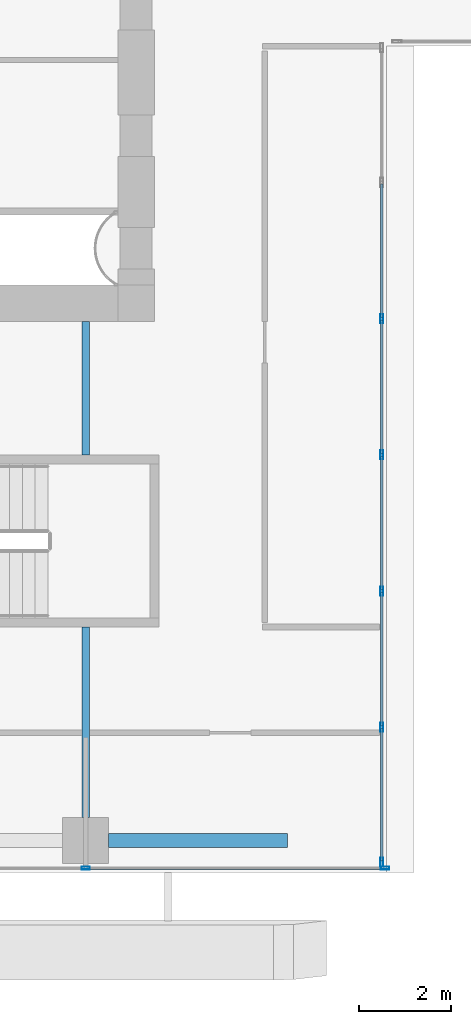
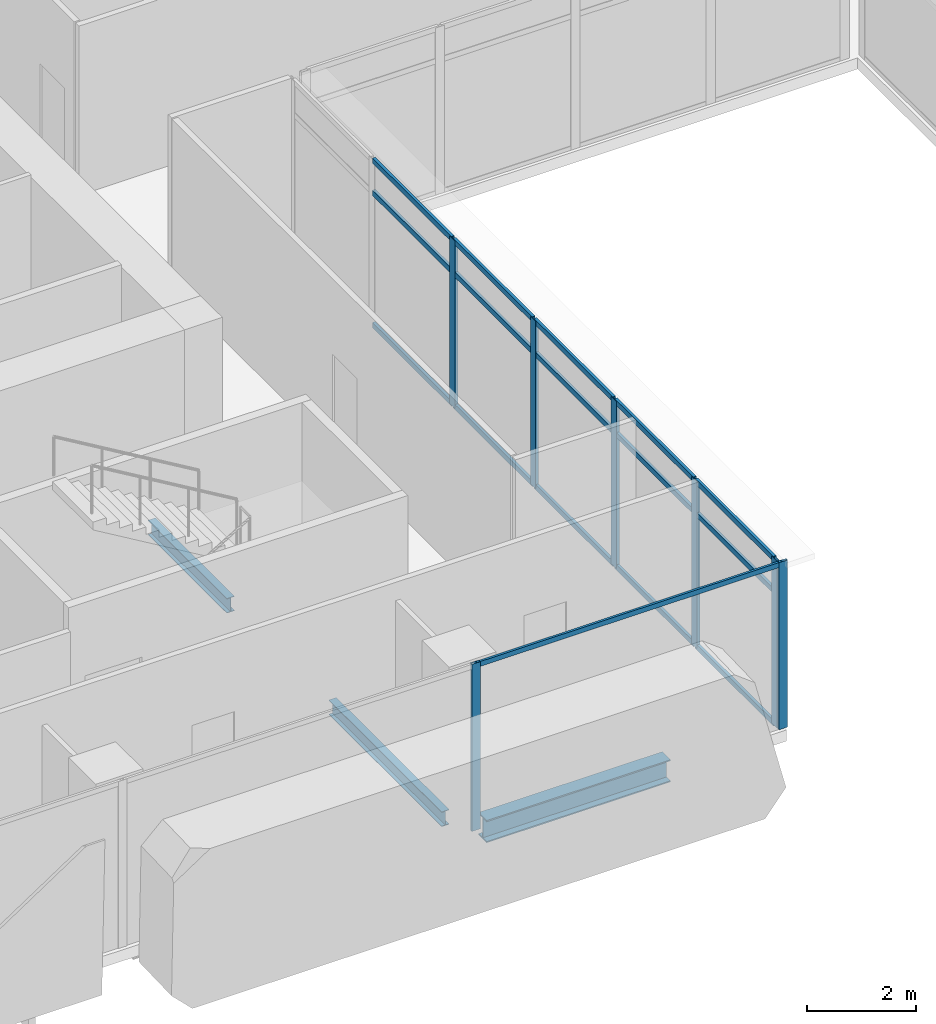
# One storey, part 5 of 37: 23 members, 3 beams, 2 elements without a shape of their own.
"""IFC4 building model written with IfcOpenShell, lengths in metres."""

from ifc_helpers import new_model, si_unit, direction, frame, origin, origin_2d, place, context, subcontext, project, spatial, hollow_rectangle, i_section, extrude, source, transform, mapped, material, material_profile, profile_set, type_object, element, aggregate, save


model = new_model("IFC4")

# Units and contexts
model_context = context("Model", 3, precision=1e-05, world=origin(), true_north=direction((0.0, 1.0)))
body_context = subcontext(model_context, "Body", "Model", "MODEL_VIEW")
ifc_project = project(units=[si_unit("LENGTHUNIT", "METRE"), si_unit("AREAUNIT", "SQUARE_METRE"), si_unit("VOLUMEUNIT", "CUBIC_METRE"), si_unit("PLANEANGLEUNIT", "RADIAN"), si_unit("MASSUNIT", "GRAM", prefix="KILO")], contexts=[model_context])

# Site, building, storey
site_placement = place(None, origin())
site = spatial("IfcSite", under=ifc_project, at=site_placement, CompositionType="ELEMENT")
building_placement = place(site_placement, origin())
building = spatial("IfcBuilding", under=site, at=building_placement, Name="Khomas Fold Tower", CompositionType="ELEMENT")
storey_placement = place(building_placement, frame((0.0, 0.0, 168.699951171875)))
storey = spatial("IfcBuildingStorey", under=building, at=storey_placement, Name="L36", CompositionType="ELEMENT", Elevation=168.699951171875)

# Beams
ifc_material_1 = material(Name="Steel S355", Category="steel")
ifc_material_profile_1 = material_profile(ifc_material_1, i_section(OverallWidth=0.300048828125, OverallDepth=0.5, WebThickness=0.014404296875, FlangeThickness=0.028076171875, at=origin_2d()), Name="HE 500 B")
ifc_profile_set_1 = profile_set([ifc_material_profile_1], Name="Steel S355")
beam_type_1 = type_object("IfcBeamType", Name="HE 500 B spandrel SB3", PredefinedType="SPANDREL", material=ifc_profile_set_1)
shared_shape_1 = source(origin(), body_context, "Body", "SweptSolid", [
    extrude(i_section(OverallWidth=0.300048828125, OverallDepth=0.5, WebThickness=0.014404296875, FlangeThickness=0.028076171875, at=origin_2d()), origin(), (0.0, 0.0, 1.0), 3.89990234375),
])
beam_1_placement = place(storey_placement, frame((20.0, 3.699951171875, -0.5), z_axis=(1.0, 0.0, 0.0), x_axis=(0.0, 1.0, 0.0)))
element("IfcBeam", 1, at=beam_1_placement, inside=storey, type_object=beam_type_1, Name="SB3", PredefinedType="SPANDREL", context=body_context, shape_type="MappedRepresentation", body=[
    mapped(shared_shape_1, transform((0.0, 0.0, 0.0))),
])
ifc_material_2 = material(Name="Steel S355", Category="steel")
ifc_material_profile_2 = material_profile(ifc_material_2, i_section(OverallWidth=0.159912109375, OverallDepth=0.330078125, WebThickness=0.007568359375, FlangeThickness=0.011474609375, at=origin_2d()), Name="IPE 330")
ifc_profile_set_2 = profile_set([ifc_material_profile_2], Name="Steel S355")
beam_type_2 = type_object("IfcBeamType", Name="IPE 330 beam JB1", PredefinedType="BEAM", material=ifc_profile_set_2)
shared_shape_2 = source(origin(), body_context, "Body", "SweptSolid", [
    extrude(i_section(OverallWidth=0.159912109375, OverallDepth=0.330078125, WebThickness=0.007568359375, FlangeThickness=0.011474609375, at=origin_2d()), origin(), (0.0, 0.0, 1.0), 4.150146484375),
])
beam_2_placement = place(storey_placement, frame((19.5, 4.199951171875, -0.4150390625), z_axis=(0.0, 1.0, 0.0), x_axis=(-1.0, 0.0, 0.0)))
element("IfcBeam", 2, at=beam_2_placement, inside=storey, type_object=beam_type_2, Name="JB1", PredefinedType="BEAM", context=body_context, shape_type="MappedRepresentation", body=[
    mapped(shared_shape_2, transform((0.0, 0.0, 0.0))),
])
shared_shape_3 = source(origin(), body_context, "Body", "SweptSolid", [
    extrude(i_section(OverallWidth=0.159912109375, OverallDepth=0.330078125, WebThickness=0.007568359375, FlangeThickness=0.011474609375, at=origin_2d()), origin(), (0.0, 0.0, 1.0), 2.89990234375),
])
beam_3_placement = place(storey_placement, frame((19.5, 12.10009765625, -0.4150390625), z_axis=(0.0, 1.0, 0.0), x_axis=(-1.0, 0.0, 0.0)))
element("IfcBeam", 3, at=beam_3_placement, inside=storey, type_object=beam_type_2, Name="JB1", PredefinedType="BEAM", context=body_context, shape_type="MappedRepresentation", body=[
    mapped(shared_shape_3, transform((0.0, 0.0, 0.0))),
])

# Curtain wall, members
ifc_material_3 = material(Name="Aluminium framed double glazing", Category="aluminium")
curtain_wall_type_1 = type_object("IfcCurtainWallType", Name="SK-Unitised clear-glass wall, office floors CW2", PredefinedType="NOTDEFINED", material=ifc_material_3)
curtain_wall_1_placement = place(storey_placement, origin())
curtain_wall_1 = element("IfcCurtainWall", 4, at=curtain_wall_1_placement, inside=storey, type_object=curtain_wall_type_1, Name="CW2 run L36 01-0", PredefinedType="NOTDEFINED")
ifc_material_4 = material(Name="Aluminium", Category="aluminium")
ifc_material_profile_3 = material_profile(ifc_material_4, hollow_rectangle(XDim=0.06005859375, YDim=0.179931640625, WallThickness=0.00390625, at=origin_2d()), Name="SK-Unitised clear-glass wall, office floors mullion CW2-M")
ifc_profile_set_3 = profile_set([ifc_material_profile_3], Name="Aluminium")
member_type_1 = type_object("IfcMemberType", Name="SK-Unitised clear-glass wall, office floors mullion CW2-M", PredefinedType="MULLION", material=ifc_profile_set_3)
shared_shape_4 = source(origin(), body_context, "Body", "SweptSolid", [
    extrude(hollow_rectangle(XDim=0.06005859375, YDim=0.179931640625, WallThickness=0.00390625, at=origin_2d()), origin(), (0.0, 0.0, 1.0), 3.75),
])
member_1_placement = place(storey_placement, frame((19.5, 3.10009765625, 0.0), z_axis=(0.0, 0.0, 1.0), x_axis=(0.0, 1.0, 0.0)))
member_1 = element("IfcMember", 5, at=member_1_placement, type_object=member_type_1, Name="CW2 mullion 4", PredefinedType="MULLION", context=body_context, shape_type="MappedRepresentation", body=[
    mapped(shared_shape_4, transform((0.0, 0.0, 0.0))),
])
member_2_placement = place(storey_placement, frame((26.02001953125, 3.10009765625, 0.0), z_axis=(0.0, 0.0, 1.0), x_axis=(0.0, 1.0, 0.0)))
member_2 = element("IfcMember", 6, at=member_2_placement, type_object=member_type_1, Name="CW2 mullion 5", PredefinedType="MULLION", context=body_context, shape_type="MappedRepresentation", body=[
    mapped(shared_shape_4, transform((0.0, 0.0, 0.0))),
])
ifc_material_5 = material(Name="Aluminium", Category="aluminium")
ifc_material_profile_4 = material_profile(ifc_material_5, hollow_rectangle(XDim=0.050048828125, YDim=0.110107421875, WallThickness=0.00390625, at=origin_2d()), Name="SK-Unitised clear-glass wall, office floors transom CW2-T")
ifc_profile_set_4 = profile_set([ifc_material_profile_4], Name="Aluminium")
member_type_2 = type_object("IfcMemberType", Name="SK-Unitised clear-glass wall, office floors transom CW2-T", PredefinedType="USERDEFINED", material=ifc_profile_set_4)
shared_shape_5 = source(origin(), body_context, "Body", "SweptSolid", [
    extrude(hollow_rectangle(XDim=0.050048828125, YDim=0.110107421875, WallThickness=0.00390625, at=origin_2d()), origin(), (0.0, 0.0, 1.0), 6.4599609375),
])
member_3_placement = place(storey_placement, frame((19.530029296875, 3.10009765625, 3.695068359375), z_axis=(1.0, 0.0, 0.0), x_axis=(0.0, 1.0, 0.0)))
member_3 = element("IfcMember", 7, at=member_3_placement, type_object=member_type_2, Name="CW2 transom 4", ObjectType="TRANSOM", PredefinedType="USERDEFINED", context=body_context, shape_type="MappedRepresentation", body=[
    mapped(shared_shape_5, transform((0.0, 0.0, 0.0))),
])
aggregate(curtain_wall_1, [member_1, member_2, member_3])

ifc_material_6 = material(Name="Aluminium framed double glazing", Category="aluminium")
curtain_wall_type_2 = type_object("IfcCurtainWallType", Name="Notch glazing GN-CW", PredefinedType="NOTDEFINED", material=ifc_material_6)
curtain_wall_2_placement = place(storey_placement, origin())
curtain_wall_2 = element("IfcCurtainWall", 8, at=curtain_wall_2_placement, inside=storey, type_object=curtain_wall_type_2, Name="Notch glazing run", PredefinedType="NOTDEFINED")
ifc_material_7 = material(Name="Aluminium", Category="aluminium")
ifc_material_profile_5 = material_profile(ifc_material_7, hollow_rectangle(XDim=0.06005859375, YDim=0.1201171875, WallThickness=0.00390625, at=origin_2d()), Name="Notch glazing transom GN-CW-T")
ifc_profile_set_5 = profile_set([ifc_material_profile_5], Name="Aluminium")
member_type_3 = type_object("IfcMemberType", Name="Notch glazing transom GN-CW-T", PredefinedType="USERDEFINED", material=ifc_profile_set_5)
shared_shape_6 = source(origin(), body_context, "Body", "SweptSolid", [
    extrude(hollow_rectangle(XDim=0.06005859375, YDim=0.1201171875, WallThickness=0.00390625, at=origin_2d()), origin(), (0.0, 0.0, 1.0), 2.876708984375),
])
member_4_placement = place(storey_placement, frame((25.949951171875, 3.260009765625, 0.030029296875), z_axis=(0.0, 1.0, 0.0), x_axis=(-1.0, 0.0, 0.0)))
member_4 = element("IfcMember", 9, at=member_4_placement, type_object=member_type_3, Name="GN-CW transom 1.1", ObjectType="TRANSOM", PredefinedType="USERDEFINED", context=body_context, shape_type="MappedRepresentation", body=[
    mapped(shared_shape_6, transform((0.0, 0.0, 0.0))),
])
member_5_placement = place(storey_placement, frame((25.949951171875, 3.260009765625, 3.0), z_axis=(0.0, 1.0, 0.0), x_axis=(-1.0, 0.0, 0.0)))
member_5 = element("IfcMember", 10, at=member_5_placement, type_object=member_type_3, Name="GN-CW transom 1.2", ObjectType="TRANSOM", PredefinedType="USERDEFINED", context=body_context, shape_type="MappedRepresentation", body=[
    mapped(shared_shape_6, transform((0.0, 0.0, 0.0))),
])
member_6_placement = place(storey_placement, frame((25.949951171875, 3.260009765625, 3.719970703125), z_axis=(0.0, 1.0, 0.0), x_axis=(-1.0, 0.0, 0.0)))
member_6 = element("IfcMember", 11, at=member_6_placement, type_object=member_type_3, Name="GN-CW transom 1.3", ObjectType="TRANSOM", PredefinedType="USERDEFINED", context=body_context, shape_type="MappedRepresentation", body=[
    mapped(shared_shape_6, transform((0.0, 0.0, 0.0))),
])
shared_shape_7 = source(origin(), body_context, "Body", "SweptSolid", [
    extrude(hollow_rectangle(XDim=0.06005859375, YDim=0.1201171875, WallThickness=0.00390625, at=origin_2d()), origin(), (0.0, 0.0, 1.0), 2.90673828125),
])
member_7_placement = place(storey_placement, frame((25.949951171875, 9.163330078125, 0.030029296875), z_axis=(0.0, 1.0, 0.0), x_axis=(-1.0, 0.0, 0.0)))
member_7 = element("IfcMember", 12, at=member_7_placement, type_object=member_type_3, Name="GN-CW transom 3.1", ObjectType="TRANSOM", PredefinedType="USERDEFINED", context=body_context, shape_type="MappedRepresentation", body=[
    mapped(shared_shape_7, transform((0.0, 0.0, 0.0))),
])
member_8_placement = place(storey_placement, frame((25.949951171875, 9.163330078125, 3.0), z_axis=(0.0, 1.0, 0.0), x_axis=(-1.0, 0.0, 0.0)))
member_8 = element("IfcMember", 13, at=member_8_placement, type_object=member_type_3, Name="GN-CW transom 3.2", ObjectType="TRANSOM", PredefinedType="USERDEFINED", context=body_context, shape_type="MappedRepresentation", body=[
    mapped(shared_shape_7, transform((0.0, 0.0, 0.0))),
])
member_9_placement = place(storey_placement, frame((25.949951171875, 9.163330078125, 3.719970703125), z_axis=(0.0, 1.0, 0.0), x_axis=(-1.0, 0.0, 0.0)))
member_9 = element("IfcMember", 14, at=member_9_placement, type_object=member_type_3, Name="GN-CW transom 3.3", ObjectType="TRANSOM", PredefinedType="USERDEFINED", context=body_context, shape_type="MappedRepresentation", body=[
    mapped(shared_shape_7, transform((0.0, 0.0, 0.0))),
])
member_10_placement = place(storey_placement, frame((25.949951171875, 12.1298828125, 0.030029296875), z_axis=(0.0, 1.0, 0.0), x_axis=(-1.0, 0.0, 0.0)))
member_10 = element("IfcMember", 15, at=member_10_placement, type_object=member_type_3, Name="GN-CW transom 4.1", ObjectType="TRANSOM", PredefinedType="USERDEFINED", context=body_context, shape_type="MappedRepresentation", body=[
    mapped(shared_shape_7, transform((0.0, 0.0, 0.0))),
])
member_11_placement = place(storey_placement, frame((25.949951171875, 12.1298828125, 3.0), z_axis=(0.0, 1.0, 0.0), x_axis=(-1.0, 0.0, 0.0)))
member_11 = element("IfcMember", 16, at=member_11_placement, type_object=member_type_3, Name="GN-CW transom 4.2", ObjectType="TRANSOM", PredefinedType="USERDEFINED", context=body_context, shape_type="MappedRepresentation", body=[
    mapped(shared_shape_7, transform((0.0, 0.0, 0.0))),
])
member_12_placement = place(storey_placement, frame((25.949951171875, 12.1298828125, 3.719970703125), z_axis=(0.0, 1.0, 0.0), x_axis=(-1.0, 0.0, 0.0)))
member_12 = element("IfcMember", 17, at=member_12_placement, type_object=member_type_3, Name="GN-CW transom 4.3", ObjectType="TRANSOM", PredefinedType="USERDEFINED", context=body_context, shape_type="MappedRepresentation", body=[
    mapped(shared_shape_7, transform((0.0, 0.0, 0.0))),
])
member_13_placement = place(storey_placement, frame((25.949951171875, 15.0966796875, 0.030029296875), z_axis=(0.0, 1.0, 0.0), x_axis=(-1.0, 0.0, 0.0)))
member_13 = element("IfcMember", 18, at=member_13_placement, type_object=member_type_3, Name="GN-CW transom 5.1", ObjectType="TRANSOM", PredefinedType="USERDEFINED", context=body_context, shape_type="MappedRepresentation", body=[
    mapped(shared_shape_7, transform((0.0, 0.0, 0.0))),
])
member_14_placement = place(storey_placement, frame((25.949951171875, 15.0966796875, 3.0), z_axis=(0.0, 1.0, 0.0), x_axis=(-1.0, 0.0, 0.0)))
member_14 = element("IfcMember", 19, at=member_14_placement, type_object=member_type_3, Name="GN-CW transom 5.2", ObjectType="TRANSOM", PredefinedType="USERDEFINED", context=body_context, shape_type="MappedRepresentation", body=[
    mapped(shared_shape_7, transform((0.0, 0.0, 0.0))),
])
member_15_placement = place(storey_placement, frame((25.949951171875, 15.0966796875, 3.719970703125), z_axis=(0.0, 1.0, 0.0), x_axis=(-1.0, 0.0, 0.0)))
member_15 = element("IfcMember", 20, at=member_15_placement, type_object=member_type_3, Name="GN-CW transom 5.3", ObjectType="TRANSOM", PredefinedType="USERDEFINED", context=body_context, shape_type="MappedRepresentation", body=[
    mapped(shared_shape_7, transform((0.0, 0.0, 0.0))),
])
shared_shape_8 = source(origin(), body_context, "Body", "SweptSolid", [
    extrude(hollow_rectangle(XDim=0.06005859375, YDim=0.1201171875, WallThickness=0.00390625, at=origin_2d()), origin(), (0.0, 0.0, 1.0), 2.906494140625),
])
member_16_placement = place(storey_placement, frame((25.949951171875, 6.19677734375, 0.030029296875), z_axis=(0.0, 1.0, 0.0), x_axis=(-1.0, 0.0, 0.0)))
member_16 = element("IfcMember", 21, at=member_16_placement, type_object=member_type_3, Name="GN-CW transom 2.1", ObjectType="TRANSOM", PredefinedType="USERDEFINED", context=body_context, shape_type="MappedRepresentation", body=[
    mapped(shared_shape_8, transform((0.0, 0.0, 0.0))),
])
member_17_placement = place(storey_placement, frame((25.949951171875, 6.19677734375, 3.0), z_axis=(0.0, 1.0, 0.0), x_axis=(-1.0, 0.0, 0.0)))
member_17 = element("IfcMember", 22, at=member_17_placement, type_object=member_type_3, Name="GN-CW transom 2.2", ObjectType="TRANSOM", PredefinedType="USERDEFINED", context=body_context, shape_type="MappedRepresentation", body=[
    mapped(shared_shape_8, transform((0.0, 0.0, 0.0))),
])
member_18_placement = place(storey_placement, frame((25.949951171875, 6.19677734375, 3.719970703125), z_axis=(0.0, 1.0, 0.0), x_axis=(-1.0, 0.0, 0.0)))
member_18 = element("IfcMember", 23, at=member_18_placement, type_object=member_type_3, Name="GN-CW transom 2.3", ObjectType="TRANSOM", PredefinedType="USERDEFINED", context=body_context, shape_type="MappedRepresentation", body=[
    mapped(shared_shape_8, transform((0.0, 0.0, 0.0))),
])
ifc_material_8 = material(Name="Aluminium", Category="aluminium")
ifc_material_profile_6 = material_profile(ifc_material_8, hollow_rectangle(XDim=0.06005859375, YDim=0.199951171875, WallThickness=0.00390625, at=origin_2d()), Name="Notch glazing mullion GN-CW-M")
ifc_profile_set_6 = profile_set([ifc_material_profile_6], Name="Aluminium")
member_type_4 = type_object("IfcMemberType", Name="Notch glazing mullion GN-CW-M", PredefinedType="MULLION", material=ifc_profile_set_6)
shared_shape_9 = source(origin(), body_context, "Body", "SweptSolid", [
    extrude(hollow_rectangle(XDim=0.06005859375, YDim=0.199951171875, WallThickness=0.00390625, at=origin_2d()), origin(), (0.0, 0.0, 1.0), 3.75),
])
member_19_placement = place(storey_placement, frame((25.949951171875, 3.22998046875, 0.0), z_axis=(0.0, 0.0, 1.0), x_axis=(-1.0, 0.0, 0.0)))
member_19 = element("IfcMember", 24, at=member_19_placement, type_object=member_type_4, Name="GN-CW mullion 1", PredefinedType="MULLION", context=body_context, shape_type="MappedRepresentation", body=[
    mapped(shared_shape_9, transform((0.0, 0.0, 0.0))),
])
member_20_placement = place(storey_placement, frame((25.949951171875, 6.166748046875, 0.0), z_axis=(0.0, 0.0, 1.0), x_axis=(-1.0, 0.0, 0.0)))
member_20 = element("IfcMember", 25, at=member_20_placement, type_object=member_type_4, Name="GN-CW mullion 2", PredefinedType="MULLION", context=body_context, shape_type="MappedRepresentation", body=[
    mapped(shared_shape_9, transform((0.0, 0.0, 0.0))),
])
member_21_placement = place(storey_placement, frame((25.949951171875, 9.13330078125, 0.0), z_axis=(0.0, 0.0, 1.0), x_axis=(-1.0, 0.0, 0.0)))
member_21 = element("IfcMember", 26, at=member_21_placement, type_object=member_type_4, Name="GN-CW mullion 3", PredefinedType="MULLION", context=body_context, shape_type="MappedRepresentation", body=[
    mapped(shared_shape_9, transform((0.0, 0.0, 0.0))),
])
member_22_placement = place(storey_placement, frame((25.949951171875, 12.10009765625, 0.0), z_axis=(0.0, 0.0, 1.0), x_axis=(-1.0, 0.0, 0.0)))
member_22 = element("IfcMember", 27, at=member_22_placement, type_object=member_type_4, Name="GN-CW mullion 4", PredefinedType="MULLION", context=body_context, shape_type="MappedRepresentation", body=[
    mapped(shared_shape_9, transform((0.0, 0.0, 0.0))),
])
member_23_placement = place(storey_placement, frame((25.949951171875, 15.066650390625, 0.0), z_axis=(0.0, 0.0, 1.0), x_axis=(-1.0, 0.0, 0.0)))
member_23 = element("IfcMember", 28, at=member_23_placement, type_object=member_type_4, Name="GN-CW mullion 5", PredefinedType="MULLION", context=body_context, shape_type="MappedRepresentation", body=[
    mapped(shared_shape_9, transform((0.0, 0.0, 0.0))),
])
aggregate(curtain_wall_2, [member_19, member_20, member_21, member_22, member_23, member_4, member_5, member_6, member_16, member_17, member_18, member_7, member_8, member_9, member_10, member_11, member_12, member_13, member_14, member_15])

save(model, "model.ifc")
